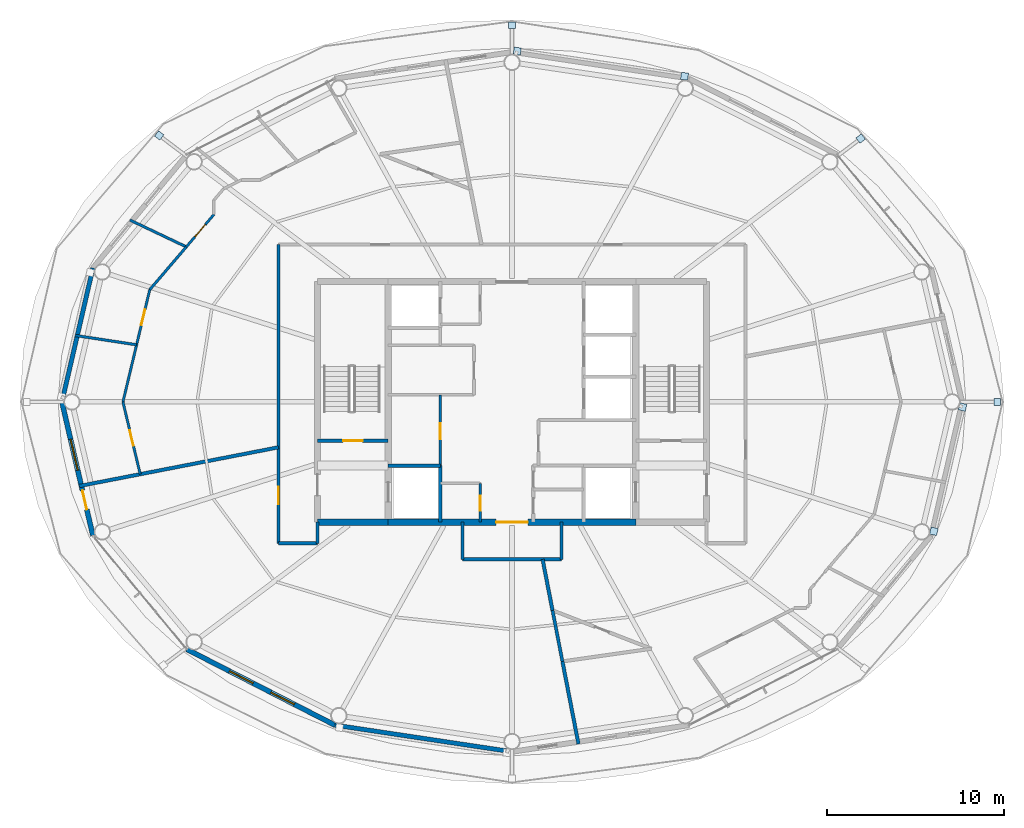
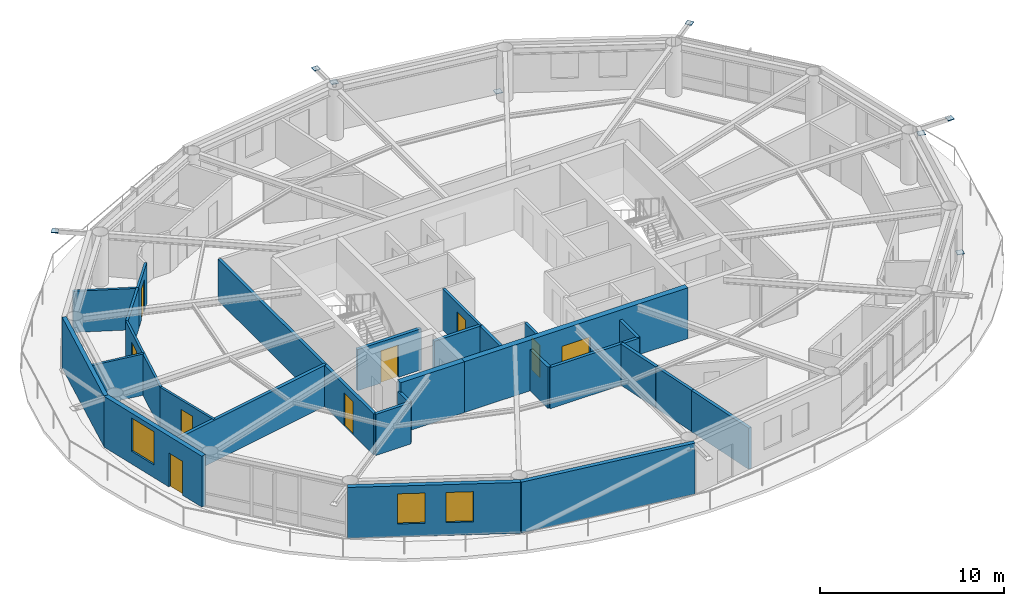
# One storey, part 15 of 21: 27 walls, 9 doors, 8 plates, 3 windows, 12 openings.
"""IFC4 building model written with IfcOpenShell, lengths in metres."""

from ifc_helpers import new_model, si_unit, direction, frame, frame_2d, origin, origin_2d, place, context, subcontext, project, spatial, rectangle, extrude, material, layer, layer_set, type_object, element, fill, save


model = new_model("IFC4")

# Units and contexts
model_context = context("Model", 3, precision=1e-05, world=origin(), true_north=direction((0.0, 1.0)))
body_context = subcontext(model_context, "Body", "Model", "MODEL_VIEW")
ifc_project = project(units=[si_unit("LENGTHUNIT", "METRE"), si_unit("AREAUNIT", "SQUARE_METRE"), si_unit("VOLUMEUNIT", "CUBIC_METRE"), si_unit("PLANEANGLEUNIT", "RADIAN"), si_unit("MASSUNIT", "GRAM", prefix="KILO")], contexts=[model_context])

# Site, building, storey
site_placement = place(None, origin())
site = spatial("IfcSite", under=ifc_project, at=site_placement, CompositionType="ELEMENT")
building_placement = place(site_placement, origin())
building = spatial("IfcBuilding", under=site, at=building_placement, Name="Sarneth Arch Tower", CompositionType="ELEMENT")
storey_placement = place(building_placement, frame((0.0, 0.0, 309.0)))
storey = spatial("IfcBuildingStorey", under=building, at=storey_placement, Name="L80", CompositionType="ELEMENT", Elevation=309.0)

# Plates
ifc_material_1 = material(Name="Steel S355", Category="steel")
ifc_layer_1 = layer(ifc_material_1, 0.035888671875)
ifc_layer_set_1 = layer_set([ifc_layer_1], Name="Steel S355")
plate_type = type_object("IfcPlateType", Name="PLT-GUSSET-30", PredefinedType="SHEET", material=ifc_layer_set_1)
for number, where, z_axis, x_axis, name in (
    (1, (75.44140625, 42.0, 3.19189453125), (0.0, 0.0, 1.0), (1.0, 0.0, 0.0), "Steel end cap plate GP-1"),
    (2, (67.714111328125, 56.889892578125, 3.19189453125), (0.0, 0.0, 1.0), (0.798004853043, 0.602651022168, 0.0), "Steel end cap plate GP-1"),
):
    element("IfcPlate", number, at=place(storey_placement, frame(where, z_axis=z_axis, x_axis=x_axis)), inside=storey, type_object=plate_type, Name=name, PredefinedType="SHEET", context=body_context, shape_type="SweptSolid", body=[
        extrude(rectangle(XDim=0.3798828125, YDim=0.3798828125, at=origin_2d()), origin(), (0.0, 0.0, 1.0), 0.035888671875),
    ])
for number, where, z_axis, x_axis, name in (
    (3, (57.754150390625, 60.411376953125, 0.001953125), (0.0, 0.0, 1.0), (-0.988860535448, 0.148845024885, 0.0), "Steel end cap plate GP-1"),
    (4, (48.296630859375, 61.83544921875, 3.07421875), (0.0, 0.0, 1.0), (-0.988860535448, 0.148845024885, 0.0), "Steel end cap plate GP-1"),
):
    element("IfcPlate", number, at=place(storey_placement, frame(where, z_axis=z_axis, x_axis=x_axis)), inside=storey, type_object=plate_type, Name=name, PredefinedType="SHEET", context=body_context, shape_type="SweptSolid", body=[
        extrude(rectangle(XDim=0.404052734375, YDim=0.404052734375, at=origin_2d()), origin(), (0.0, 0.0, 1.0), 0.035888671875),
    ])
for number, where, z_axis, x_axis, name in (
    (5, (48.0, 63.291748046875, 3.19189453125), (0.0, 0.0, 1.0), (0.0, 1.0, 0.0), "Steel end cap plate GP-1"),
    (6, (28.05322265625, 57.0654296875, 3.19189453125), (0.0, 0.0, 1.0), (-0.798004853043, 0.602651022168, 0.0), "Steel end cap plate GP-1"),
):
    element("IfcPlate", number, at=place(storey_placement, frame(where, z_axis=z_axis, x_axis=x_axis)), inside=storey, type_object=plate_type, Name=name, PredefinedType="SHEET", context=body_context, shape_type="SweptSolid", body=[
        extrude(rectangle(XDim=0.3798828125, YDim=0.3798828125, at=origin_2d()), origin(), (0.0, 0.0, 1.0), 0.035888671875),
    ])
for number, where, z_axis, x_axis, name in (
    (7, (71.851806640625, 34.6845703125, 0.001953125), (0.0, 0.0, 1.0), (0.225461202458, 0.974252147129, 0.0), "Steel end cap plate GP-1"),
    (8, (73.4765625, 41.707763671875, 3.07421875), (0.0, 0.0, 1.0), (0.225461202458, 0.974252147129, 0.0), "Steel end cap plate GP-1"),
):
    element("IfcPlate", number, at=place(storey_placement, frame(where, z_axis=z_axis, x_axis=x_axis)), inside=storey, type_object=plate_type, Name=name, PredefinedType="SHEET", context=body_context, shape_type="SweptSolid", body=[
        extrude(rectangle(XDim=0.404052734375, YDim=0.404052734375, at=origin_2d()), origin(), (0.0, 0.0, 1.0), 0.035888671875),
    ])

# Wall
ifc_material_2 = material(Name="Concrete C50/60", Category="concrete")
ifc_layer_2 = layer(ifc_material_2, 0.35009765625)
ifc_layer_set_2 = layer_set([ifc_layer_2], Name="Concrete C50/60")
wall_type_1 = type_object("IfcWallType", Name="WALL-CORE-350", PredefinedType="SHEAR", material=ifc_layer_set_2)
wall_1_placement = place(storey_placement, frame((37.0, 35.199951171875, 0.0), z_axis=(0.0, 0.0, 1.0), x_axis=(1.0, 0.0, 0.0)))
element("IfcWall", 9, at=wall_1_placement, inside=storey, type_object=wall_type_1, Name="L80 Core shear wall S-W", PredefinedType="SHEAR", context=body_context, shape_type="SweptSolid", body=[
    extrude(rectangle(XDim=4.0, YDim=0.35009765625, at=frame_2d((2.0, 0.0))), origin(), (0.0, 0.0, 1.0), 3.3701171875),
])

# Wall, opening, door
wall_2_placement = place(storey_placement, frame((41.0, 35.199951171875, 0.0), z_axis=(0.0, 0.0, 1.0), x_axis=(1.0, 0.0, 0.0)))
wall_2 = element("IfcWall", 10, at=wall_2_placement, inside=storey, type_object=wall_type_1, Name="L80 Core shear wall S-M", PredefinedType="SHEAR", context=body_context, shape_type="SweptSolid", body=[
    extrude(rectangle(XDim=14.0, YDim=0.35009765625, at=frame_2d((7.0, 0.0))), origin(), (0.0, 0.0, 1.0), 3.3701171875),
])
opening_1_placement = place(wall_2_placement, frame((6.10009765625, 0.0, 0.0)))
opening_1 = element("IfcOpeningElement", 11, at=opening_1_placement, cuts=wall_2, Name="Opening FD-01", PredefinedType="OPENING", context=body_context, shape_type="SweptSolid", body=[
    extrude(rectangle(XDim=1.800048828125, YDim=2.25, at=frame_2d((0.89990234375, 1.125))), frame((0.0, 0.18505859375, 0.0), z_axis=(0.0, -1.0, 0.0), x_axis=(1.0, 0.0, 0.0)), (0.0, 0.0, 1.0), 0.3701171875),
])
ifc_material_3 = material(Name="Galvanised Steel S275 fire door set", Category="steel")
door_type_1 = type_object("IfcDoorType", Name="DR-FD90-1800", OperationType="DOUBLE_DOOR_SINGLE_SWING", PredefinedType="DOOR", material=ifc_material_3)
door_1_placement = place(opening_1_placement, origin())
door_1 = element("IfcDoor", 12, at=door_1_placement, inside=storey, type_object=door_type_1, Name="L80 Central lift lobby south door", OperationType="DOUBLE_DOOR_SINGLE_SWING", OverallHeight=2.25, OverallWidth=1.800048828125, PredefinedType="DOOR", context=body_context, shape_type="SweptSolid", body=[
    extrude(rectangle(XDim=1.800048828125, YDim=2.25, at=frame_2d((0.89990234375, 1.125))), frame((0.0, 0.02490234375, 0.0), z_axis=(0.0, -1.0, 0.0), x_axis=(1.0, 0.0, 0.0)), (0.0, 0.0, 1.0), 0.050048828125),
])
fill(opening_1, door_1)

ifc_material_4 = material(Name="Double steel-stud corridor fire wall", Category="steel")
ifc_layer_3 = layer(ifc_material_4, 0.18994140625)
ifc_layer_set_3 = layer_set([ifc_layer_3], Name="Double steel-stud corridor fire wall")
wall_type_2 = type_object("IfcWallType", Name="WALL-CORR-190", PredefinedType="PARTITIONING", material=ifc_layer_set_3)
wall_3_placement = place(storey_placement, frame((34.800048828125, 34.0, 0.0), z_axis=(0.0, 0.0, 1.0), x_axis=(0.0, 1.0, 0.0)))
wall_3 = element("IfcWall", 13, at=wall_3_placement, inside=storey, type_object=wall_type_2, Name="L80 Interior partition W-L80-TP-003", PredefinedType="PARTITIONING", context=body_context, shape_type="SweptSolid", body=[
    extrude(rectangle(XDim=16.89990234375, YDim=0.18994140625, at=frame_2d((8.449951171875, 0.0))), origin(), (0.0, 0.0, 1.0), 2.72998046875),
])
opening_2_placement = place(wall_3_placement, frame((2.217041015625, 0.0, 0.0)))
opening_2 = element("IfcOpeningElement", 14, at=opening_2_placement, cuts=wall_3, Name="Opening FD-08", PredefinedType="OPENING", context=body_context, shape_type="SweptSolid", body=[
    extrude(rectangle(XDim=1.0, YDim=2.199951171875, at=frame_2d((0.5, 1.10009765625))), frame((0.0, 0.10498046875, 0.0), z_axis=(0.0, -1.0, 0.0), x_axis=(1.0, 0.0, 0.0)), (0.0, 0.0, 1.0), 0.2099609375),
])
ifc_material_5 = material(Name="Hardwood timber acoustic fire door", Category="wood")
door_type_2 = type_object("IfcDoorType", Name="DR-FD60-1000", OperationType="SINGLE_SWING_LEFT", PredefinedType="DOOR", material=ifc_material_5)
door_2_placement = place(opening_2_placement, origin())
door_2 = element("IfcDoor", 15, at=door_2_placement, inside=storey, type_object=door_type_2, Name="L80 Interior door DR-L80-RAMN-03", OperationType="SINGLE_SWING_LEFT", OverallHeight=2.199951171875, OverallWidth=1.0, PredefinedType="DOOR", context=body_context, shape_type="SweptSolid", body=[
    extrude(rectangle(XDim=1.0, YDim=2.199951171875, at=frame_2d((0.5, 1.10009765625))), frame((0.0, 0.02490234375, 0.0), z_axis=(0.0, -1.0, 0.0), x_axis=(1.0, 0.0, 0.0)), (0.0, 0.0, 1.0), 0.050048828125),
])
fill(opening_2, door_2)

# Walls
wall_4_placement = place(storey_placement, frame((50.800048828125, 33.10009765625, 0.0), z_axis=(0.0, 0.0, 1.0), x_axis=(-1.0, 0.0, 0.0)))
element("IfcWall", 16, at=wall_4_placement, inside=storey, type_object=wall_type_2, Name="L80 Interior partition W-L80-TP-011", PredefinedType="PARTITIONING", context=body_context, shape_type="SweptSolid", body=[
    extrude(rectangle(XDim=5.60009765625, YDim=0.18994140625, at=frame_2d((2.800048828125, 0.0))), origin(), (0.0, 0.0, 1.0), 2.72998046875),
])
wall_5_placement = place(storey_placement, frame((34.800048828125, 34.0, 0.0), z_axis=(0.0, 0.0, 1.0), x_axis=(1.0, 0.0, 0.0)))
element("IfcWall", 17, at=wall_5_placement, inside=storey, type_object=wall_type_2, Name="L80 Interior partition W-L80-TP-006", PredefinedType="PARTITIONING", context=body_context, shape_type="SweptSolid", body=[
    extrude(rectangle(XDim=2.199951171875, YDim=0.18994140625, at=frame_2d((1.10009765625, 0.0))), origin(), (0.0, 0.0, 1.0), 2.72998046875),
])
for number, where, z_axis, x_axis, name in (
    (18, (45.199951171875, 33.10009765625, 0.0), (0.0, 0.0, 1.0), (0.0, 1.0, 0.0), "L80 Interior partition W-L80-TP-012"),
    (19, (50.800048828125, 35.199951171875, 0.0), (0.0, 0.0, 1.0), (0.0, -1.0, 0.0), "L80 Interior partition W-L80-TP-013"),
):
    element("IfcWall", number, at=place(storey_placement, frame(where, z_axis=z_axis, x_axis=x_axis)), inside=storey, type_object=wall_type_2, Name=name, PredefinedType="PARTITIONING", context=body_context, shape_type="SweptSolid", body=[
        extrude(rectangle(XDim=2.099853515625, YDim=0.18994140625, at=frame_2d((1.0498046875, 0.0))), origin(), (0.0, 0.0, 1.0), 2.72998046875),
    ])
wall_6_placement = place(storey_placement, frame((37.0, 34.0, 0.0), z_axis=(0.0, 0.0, 1.0), x_axis=(0.0, 1.0, 0.0)))
element("IfcWall", 20, at=wall_6_placement, inside=storey, type_object=wall_type_2, Name="L80 Interior partition W-L80-TP-007", PredefinedType="PARTITIONING", context=body_context, shape_type="SweptSolid", body=[
    extrude(rectangle(XDim=1.199951171875, YDim=0.18994140625, at=frame_2d((0.60009765625, 0.0))), origin(), (0.0, 0.0, 1.0), 2.72998046875),
])
ifc_material_6 = material(Name="Extruded terracotta rainscreen on Concrete C40/50 backing", Category="masonry")
ifc_layer_4 = layer(ifc_material_6, 0.25)
ifc_layer_set_4 = layer_set([ifc_layer_4], Name="Extruded terracotta rainscreen on Concrete C40/50 backing")
wall_type_3 = type_object("IfcWallType", Name="WALL-EXT-SPAND-250", PredefinedType="SOLIDWALL", material=ifc_layer_set_4)
wall_7_placement = place(storey_placement, frame((24.30615234375, 49.569580078125, 0.0), z_axis=(0.0, 0.0, 1.0), x_axis=(-0.225635078214, -0.974211892495, 0.0)))
element("IfcWall", 21, at=wall_7_placement, inside=storey, type_object=wall_type_3, Name="L80 Terracotta perimeter wall 08", PredefinedType="SOLIDWALL", context=body_context, shape_type="SweptSolid", body=[
    extrude(rectangle(XDim=7.77001953125, YDim=0.25, at=frame_2d((3.885009765625, 0.0))), origin(), (0.0, 0.0, 1.0), 3.3701171875),
])
wall_8_placement = place(storey_placement, frame((37.9873046875, 23.7255859375, 0.0), z_axis=(0.0, 0.0, 1.0), x_axis=(0.988882522213, -0.148698881169, 0.0)))
element("IfcWall", 22, at=wall_8_placement, inside=storey, type_object=wall_type_3, Name="L80 Terracotta perimeter wall 12", PredefinedType="SOLIDWALL", context=body_context, shape_type="SweptSolid", body=[
    extrude(rectangle(XDim=10.125244140625, YDim=0.25, at=frame_2d((5.0625, 0.0))), origin(), (0.0, 0.0, 1.0), 3.3701171875),
])

# Wall, openings, door, window
ifc_material_7 = material(Name="Extruded terracotta rainscreen on Concrete C40/50 backing", Category="masonry")
ifc_layer_5 = layer(ifc_material_7, 0.280029296875)
ifc_layer_set_5 = layer_set([ifc_layer_5], Name="Extruded terracotta rainscreen on Concrete C40/50 backing")
wall_type_4 = type_object("IfcWallType", Name="WALL-EXT-TERRA-280", PredefinedType="SOLIDWALL", material=ifc_layer_set_5)
wall_9_placement = place(storey_placement, frame((22.552978515625, 42.0, 0.0), z_axis=(0.0, 0.0, 1.0), x_axis=(0.225635078214, -0.974211892495, 0.0)))
wall_9 = element("IfcWall", 23, at=wall_9_placement, inside=storey, type_object=wall_type_4, Name="L80 Terracotta perimeter wall 09", PredefinedType="SOLIDWALL", context=body_context, shape_type="SweptSolid", body=[
    extrude(rectangle(XDim=7.77001953125, YDim=0.280029296875, at=frame_2d((3.885009765625, 0.0))), origin(), (0.0, 0.0, 1.0), 3.3701171875),
])
opening_3_placement = place(wall_9_placement, frame((2.165771484375, 0.0, 0.85009765625)))
opening_3 = element("IfcOpeningElement", 24, at=opening_3_placement, cuts=wall_9, Name="Opening W-04", PredefinedType="OPENING", context=body_context, shape_type="SweptSolid", body=[
    extrude(rectangle(XDim=1.800048828125, YDim=2.199951171875, at=frame_2d((0.89990234375, 1.10009765625))), frame((0.0, 0.14990234375, 0.0), z_axis=(0.0, -1.0, 0.0), x_axis=(1.0, 0.0, 0.0)), (0.0, 0.0, 1.0), 0.300048828125),
])
opening_4_placement = place(wall_9_placement, frame((5.14208984375, 0.0, 0.0)))
opening_4 = element("IfcOpeningElement", 25, at=opening_4_placement, cuts=wall_9, Name="Opening BD-3", PredefinedType="OPENING", context=body_context, shape_type="SweptSolid", body=[
    extrude(rectangle(XDim=1.10009765625, YDim=2.25, at=frame_2d((0.550048828125, 1.125))), frame((0.0, 0.14990234375, 0.0), z_axis=(0.0, -1.0, 0.0), x_axis=(1.0, 0.0, 0.0)), (0.0, 0.0, 1.0), 0.300048828125),
])
ifc_material_8 = material(Name="Thermally broken Aluminium 6063-T6 and laminated safety glass", Category="aluminium")
door_type_3 = type_object("IfcDoorType", Name="DR-BALC-GLZ-1100", OperationType="SINGLE_SWING_LEFT", PredefinedType="DOOR", material=ifc_material_8)
door_3_placement = place(opening_4_placement, origin())
door_3 = element("IfcDoor", 26, at=door_3_placement, inside=storey, type_object=door_type_3, Name="L80 Balcony glazed door 09", OperationType="SINGLE_SWING_LEFT", OverallHeight=2.25, OverallWidth=1.10009765625, PredefinedType="DOOR", context=body_context, shape_type="SweptSolid", body=[
    extrude(rectangle(XDim=1.10009765625, YDim=2.25, at=frame_2d((0.550048828125, 1.125))), frame((0.0, 0.02490234375, 0.0), z_axis=(0.0, -1.0, 0.0), x_axis=(1.0, 0.0, 0.0)), (0.0, 0.0, 1.0), 0.050048828125),
])
fill(opening_4, door_3)
ifc_material_9 = material(Name="Thermally broken Aluminium 6063-T6 and low-e laminated IGU", Category="aluminium")
window_type_1 = type_object("IfcWindowType", Name="WIN-TWR-1800x2200", PartitioningType="DOUBLE_PANEL_VERTICAL", PredefinedType="WINDOW", material=ifc_material_9)
window_1_placement = place(opening_3_placement, origin())
window_1 = element("IfcWindow", 27, at=window_1_placement, inside=storey, type_object=window_type_1, Name="L80 Exterior window 09A", OverallHeight=2.199951171875, OverallWidth=1.800048828125, PartitioningType="SINGLE_PANEL", PredefinedType="WINDOW", context=body_context, shape_type="SweptSolid", body=[
    extrude(rectangle(XDim=1.800048828125, YDim=2.199951171875, at=frame_2d((0.89990234375, 1.10009765625))), frame((0.0, 0.030029296875, 0.0), z_axis=(0.0, -1.0, 0.0), x_axis=(1.0, 0.0, 0.0)), (0.0, 0.0, 1.0), 0.06005859375),
])
fill(opening_3, window_1)

# Wall, openings, windows
wall_10_placement = place(storey_placement, frame((29.617431640625, 28.013427734375, 0.0), z_axis=(0.0, 0.0, 1.0), x_axis=(0.890007394051, -0.455946091699, 0.0)))
wall_10 = element("IfcWall", 28, at=wall_10_placement, inside=storey, type_object=wall_type_4, Name="L80 Terracotta perimeter wall 11", PredefinedType="SOLIDWALL", context=body_context, shape_type="SweptSolid", body=[
    extrude(rectangle(XDim=9.404296875, YDim=0.280029296875, at=frame_2d((4.7021484375, 0.0))), origin(), (0.0, 0.0, 1.0), 3.3701171875),
])
opening_5_placement = place(wall_10_placement, frame((2.702880859375, 0.0, 0.85009765625)))
opening_5 = element("IfcOpeningElement", 29, at=opening_5_placement, cuts=wall_10, Name="Opening W-06", PredefinedType="OPENING", context=body_context, shape_type="SweptSolid", body=[
    extrude(rectangle(XDim=1.5, YDim=2.0, at=frame_2d((0.75, 1.0))), frame((0.0, 0.14990234375, 0.0), z_axis=(0.0, -1.0, 0.0), x_axis=(1.0, 0.0, 0.0)), (0.0, 0.0, 1.0), 0.300048828125),
])
opening_6_placement = place(wall_10_placement, frame((5.330078125, 0.0, 0.85009765625)))
opening_6 = element("IfcOpeningElement", 30, at=opening_6_placement, cuts=wall_10, Name="Opening W-06", PredefinedType="OPENING", context=body_context, shape_type="SweptSolid", body=[
    extrude(rectangle(XDim=1.5, YDim=2.0, at=frame_2d((0.75, 1.0))), frame((0.0, 0.14990234375, 0.0), z_axis=(0.0, -1.0, 0.0), x_axis=(1.0, 0.0, 0.0)), (0.0, 0.0, 1.0), 0.300048828125),
])
ifc_material_10 = material(Name="Thermally broken Aluminium 6063-T6 and low-e laminated IGU", Category="aluminium")
window_type_2 = type_object("IfcWindowType", Name="WIN-TWR-1500x2000", PartitioningType="SINGLE_PANEL", PredefinedType="WINDOW", material=ifc_material_10)
window_2_placement = place(opening_5_placement, origin())
window_2 = element("IfcWindow", 31, at=window_2_placement, inside=storey, type_object=window_type_2, Name="L80 Exterior window 11A", OverallHeight=2.0, OverallWidth=1.5, PartitioningType="SINGLE_PANEL", PredefinedType="WINDOW", context=body_context, shape_type="SweptSolid", body=[
    extrude(rectangle(XDim=1.5, YDim=2.0, at=frame_2d((0.75, 1.0))), frame((0.0, 0.030029296875, 0.0), z_axis=(0.0, -1.0, 0.0), x_axis=(1.0, 0.0, 0.0)), (0.0, 0.0, 1.0), 0.06005859375),
])
fill(opening_5, window_2)
window_3_placement = place(opening_6_placement, origin())
window_3 = element("IfcWindow", 32, at=window_3_placement, inside=storey, type_object=window_type_2, Name="L80 Exterior window 11B", OverallHeight=2.0, OverallWidth=1.5, PartitioningType="SINGLE_PANEL", PredefinedType="WINDOW", context=body_context, shape_type="SweptSolid", body=[
    extrude(rectangle(XDim=1.5, YDim=2.0, at=frame_2d((0.75, 1.0))), frame((0.0, 0.030029296875, 0.0), z_axis=(0.0, -1.0, 0.0), x_axis=(1.0, 0.0, 0.0)), (0.0, 0.0, 1.0), 0.06005859375),
])
fill(opening_6, window_3)

# Wall, opening, door
ifc_material_11 = material(Name="Apartment internal stud partition", Category="gypsum")
ifc_layer_6 = layer(ifc_material_11, 0.139892578125)
ifc_layer_set_6 = layer_set([ifc_layer_6], Name="Apartment internal stud partition")
wall_type_5 = type_object("IfcWallType", Name="WALL-PART-140", PredefinedType="PARTITIONING", material=ifc_layer_set_6)
wall_11_placement = place(storey_placement, frame((26.9794921875, 37.9140625, 0.0), z_axis=(0.0, 0.0, 1.0), x_axis=(-0.23229355625, 0.972645723645, 0.0)))
wall_11 = element("IfcWall", 33, at=wall_11_placement, inside=storey, type_object=wall_type_5, Name="L80 Interior partition W-L80-TP-033", PredefinedType="PARTITIONING", context=body_context, shape_type="SweptSolid", body=[
    extrude(rectangle(XDim=4.200927734375, YDim=0.139892578125, at=frame_2d((2.1005859375, 0.0))), origin(), (0.0, 0.0, 1.0), 2.72998046875),
])
opening_7_placement = place(wall_11_placement, frame((1.650390625, 0.0, 0.0)))
opening_7 = element("IfcOpeningElement", 34, at=opening_7_placement, cuts=wall_11, Name="Opening ID-01", PredefinedType="OPENING", context=body_context, shape_type="SweptSolid", body=[
    extrude(rectangle(XDim=0.89990234375, YDim=2.10009765625, at=frame_2d((0.449951171875, 1.050048828125))), frame((0.0, 0.079833984375, 0.0), z_axis=(0.0, -1.0, 0.0), x_axis=(1.0, 0.0, 0.0)), (0.0, 0.0, 1.0), 0.159912109375),
])
ifc_material_12 = material(Name="Engineered hardwood flush door", Category="wood")
door_type_4 = type_object("IfcDoorType", Name="DR-INT-900", OperationType="SINGLE_SWING_LEFT", PredefinedType="DOOR", material=ifc_material_12)
door_4_placement = place(opening_7_placement, origin())
door_4 = element("IfcDoor", 35, at=door_4_placement, inside=storey, type_object=door_type_4, Name="L80 Interior door DR-L80-U2-BED3", OperationType="SINGLE_SWING_LEFT", OverallHeight=2.10009765625, OverallWidth=0.89990234375, PredefinedType="DOOR", context=body_context, shape_type="SweptSolid", body=[
    extrude(rectangle(XDim=0.89990234375, YDim=2.10009765625, at=frame_2d((0.449951171875, 1.050048828125))), frame((0.0, 0.02490234375, 0.0), z_axis=(0.0, -1.0, 0.0), x_axis=(1.0, 0.0, 0.0)), (0.0, 0.0, 1.0), 0.050048828125),
])
fill(opening_7, door_4)

wall_12_placement = place(storey_placement, frame((26.003662109375, 42.0, 0.0), z_axis=(0.0, 0.0, 1.0), x_axis=(0.232298462197, 0.972644551962, 0.0)))
wall_12 = element("IfcWall", 36, at=wall_12_placement, inside=storey, type_object=wall_type_5, Name="L80 Interior partition W-L80-TP-034", PredefinedType="PARTITIONING", context=body_context, shape_type="SweptSolid", body=[
    extrude(rectangle(XDim=6.5234375, YDim=0.139892578125, at=frame_2d((3.26171875, 0.0))), origin(), (0.0, 0.0, 1.0), 2.72998046875),
])
opening_8_placement = place(wall_12_placement, frame((4.471923828125, 0.0, 0.0)))
opening_8 = element("IfcOpeningElement", 37, at=opening_8_placement, cuts=wall_12, Name="Opening ID-01", PredefinedType="OPENING", context=body_context, shape_type="SweptSolid", body=[
    extrude(rectangle(XDim=0.89990234375, YDim=2.10009765625, at=frame_2d((0.449951171875, 1.050048828125))), frame((0.0, 0.079833984375, 0.0), z_axis=(0.0, -1.0, 0.0), x_axis=(1.0, 0.0, 0.0)), (0.0, 0.0, 1.0), 0.159912109375),
])
door_5_placement = place(opening_8_placement, origin())
door_5 = element("IfcDoor", 38, at=door_5_placement, inside=storey, type_object=door_type_4, Name="L80 Interior door DR-L80-U2-BED2", OperationType="SINGLE_SWING_LEFT", OverallHeight=2.10009765625, OverallWidth=0.89990234375, PredefinedType="DOOR", context=body_context, shape_type="SweptSolid", body=[
    extrude(rectangle(XDim=0.89990234375, YDim=2.10009765625, at=frame_2d((0.449951171875, 1.050048828125))), frame((0.0, 0.02490234375, 0.0), z_axis=(0.0, -1.0, 0.0), x_axis=(1.0, 0.0, 0.0)), (0.0, 0.0, 1.0), 0.050048828125),
])
fill(opening_8, door_5)

wall_13_placement = place(storey_placement, frame((31.14990234375, 52.598876953125, 0.0), z_axis=(0.0, 0.0, 1.0), x_axis=(-0.649188051026, -0.760627947426, 0.0)))
wall_13 = element("IfcWall", 39, at=wall_13_placement, inside=storey, type_object=wall_type_5, Name="L80 Interior partition W-L80-TP-030", PredefinedType="PARTITIONING", context=body_context, shape_type="SweptSolid", body=[
    extrude(rectangle(XDim=2.409912109375, YDim=0.139892578125, at=frame_2d((1.205078125, 0.0))), origin(), (0.0, 0.0, 1.0), 2.72998046875),
])
opening_9_placement = place(wall_13_placement, frame((0.7548828125, 0.0, 0.0)))
opening_9 = element("IfcOpeningElement", 40, at=opening_9_placement, cuts=wall_13, Name="Opening ID-01", PredefinedType="OPENING", context=body_context, shape_type="SweptSolid", body=[
    extrude(rectangle(XDim=0.89990234375, YDim=2.10009765625, at=frame_2d((0.449951171875, 1.050048828125))), frame((0.0, 0.079833984375, 0.0), z_axis=(0.0, -1.0, 0.0), x_axis=(1.0, 0.0, 0.0)), (0.0, 0.0, 1.0), 0.159912109375),
])
door_6_placement = place(opening_9_placement, origin())
door_6 = element("IfcDoor", 41, at=door_6_placement, inside=storey, type_object=door_type_4, Name="L80 Interior door DR-L80-U2-BED1", OperationType="SINGLE_SWING_LEFT", OverallHeight=2.10009765625, OverallWidth=0.89990234375, PredefinedType="DOOR", context=body_context, shape_type="SweptSolid", body=[
    extrude(rectangle(XDim=0.89990234375, YDim=2.10009765625, at=frame_2d((0.449951171875, 1.050048828125))), frame((0.0, 0.02490234375, 0.0), z_axis=(0.0, -1.0, 0.0), x_axis=(1.0, 0.0, 0.0)), (0.0, 0.0, 1.0), 0.050048828125),
])
fill(opening_9, door_6)

ifc_material_13 = material(Name="Acoustic gypsum stud partition", Category="gypsum")
ifc_layer_7 = layer(ifc_material_13, 0.14990234375)
ifc_layer_set_7 = layer_set([ifc_layer_7], Name="Acoustic gypsum stud partition")
wall_type_6 = type_object("IfcWallType", Name="WALL-PART-150", PredefinedType="PARTITIONING", material=ifc_layer_set_7)
wall_14_placement = place(storey_placement, frame((43.949951171875, 38.39990234375, 0.0), z_axis=(0.0, 0.0, 1.0), x_axis=(0.0, 1.0, 0.0)))
wall_14 = element("IfcWall", 42, at=wall_14_placement, inside=storey, type_object=wall_type_6, Name="L80 Interior partition W-L80-RECPL-E", PredefinedType="PARTITIONING", context=body_context, shape_type="SweptSolid", body=[
    extrude(rectangle(XDim=4.0, YDim=0.14990234375, at=frame_2d((2.0, 0.0))), origin(), (0.0, 0.0, 1.0), 2.72998046875),
])
opening_10_placement = place(wall_14_placement, frame((1.5, 0.0, 0.0)))
opening_10 = element("IfcOpeningElement", 43, at=opening_10_placement, cuts=wall_14, Name="Opening FD-10", PredefinedType="OPENING", context=body_context, shape_type="SweptSolid", body=[
    extrude(rectangle(XDim=0.89990234375, YDim=2.14990234375, at=frame_2d((0.449951171875, 1.074951171875))), frame((0.0, 0.0849609375, 0.0), z_axis=(0.0, -1.0, 0.0), x_axis=(1.0, 0.0, 0.0)), (0.0, 0.0, 1.0), 0.169921875),
])
ifc_material_14 = material(Name="Galvanised Steel S275 riser/service fire door", Category="steel")
door_type_5 = type_object("IfcDoorType", Name="DR-FD60-900", OperationType="SINGLE_SWING_LEFT", PredefinedType="DOOR", material=ifc_material_14)
door_7_placement = place(opening_10_placement, origin())
door_7 = element("IfcDoor", 44, at=door_7_placement, inside=storey, type_object=door_type_5, Name="L80 Interior door DR-L80-RECPL", OperationType="SINGLE_SWING_LEFT", OverallHeight=2.14990234375, OverallWidth=0.89990234375, PredefinedType="DOOR", context=body_context, shape_type="SweptSolid", body=[
    extrude(rectangle(XDim=0.89990234375, YDim=2.14990234375, at=frame_2d((0.449951171875, 1.074951171875))), frame((0.0, 0.02490234375, 0.0), z_axis=(0.0, -1.0, 0.0), x_axis=(1.0, 0.0, 0.0)), (0.0, 0.0, 1.0), 0.050048828125),
])
fill(opening_10, door_7)

wall_15_placement = place(storey_placement, frame((46.199951171875, 35.199951171875, 0.0), z_axis=(0.0, 0.0, 1.0), x_axis=(0.0, 1.0, 0.0)))
wall_15 = element("IfcWall", 45, at=wall_15_placement, inside=storey, type_object=wall_type_6, Name="L80 Interior partition W-L80-CSUP1-E", PredefinedType="PARTITIONING", context=body_context, shape_type="SweptSolid", body=[
    extrude(rectangle(XDim=2.199951171875, YDim=0.14990234375, at=frame_2d((1.10009765625, 0.0))), origin(), (0.0, 0.0, 1.0), 2.72998046875),
])
opening_11_placement = place(wall_15_placement, frame((0.64990234375, 0.0, 0.0)))
opening_11 = element("IfcOpeningElement", 46, at=opening_11_placement, cuts=wall_15, Name="Opening FD-11", PredefinedType="OPENING", context=body_context, shape_type="SweptSolid", body=[
    extrude(rectangle(XDim=0.85009765625, YDim=2.14990234375, at=frame_2d((0.425048828125, 1.074951171875))), frame((0.0, 0.0849609375, 0.0), z_axis=(0.0, -1.0, 0.0), x_axis=(1.0, 0.0, 0.0)), (0.0, 0.0, 1.0), 0.169921875),
])
ifc_material_15 = material(Name="Galvanised Steel S275 closet fire door", Category="steel")
door_type_6 = type_object("IfcDoorType", Name="DR-FD60-850", OperationType="SINGLE_SWING_LEFT", PredefinedType="DOOR", material=ifc_material_15)
door_8_placement = place(opening_11_placement, origin())
door_8 = element("IfcDoor", 47, at=door_8_placement, inside=storey, type_object=door_type_6, Name="L80 Interior door DR-L80-CSUP1", OperationType="SINGLE_SWING_LEFT", OverallHeight=2.14990234375, OverallWidth=0.85009765625, PredefinedType="DOOR", context=body_context, shape_type="SweptSolid", body=[
    extrude(rectangle(XDim=0.85009765625, YDim=2.14990234375, at=frame_2d((0.425048828125, 1.074951171875))), frame((0.0, 0.02490234375, 0.0), z_axis=(0.0, -1.0, 0.0), x_axis=(1.0, 0.0, 0.0)), (0.0, 0.0, 1.0), 0.050048828125),
])
fill(opening_11, door_8)

# Walls
wall_16_placement = place(storey_placement, frame((26.400390625, 52.281982421875, 0.0), z_axis=(0.0, 0.0, 1.0), x_axis=(0.902924474477, -0.429799247777, 0.0)))
element("IfcWall", 48, at=wall_16_placement, inside=storey, type_object=wall_type_6, Name="L80 Interior partition W-L80-TP-038", PredefinedType="PARTITIONING", context=body_context, shape_type="SweptSolid", body=[
    extrude(rectangle(XDim=3.527587890625, YDim=0.14990234375, at=frame_2d((1.763671875, 0.0))), origin(), (0.0, 0.0, 1.0), 2.72998046875),
])
wall_17_placement = place(storey_placement, frame((26.77490234375, 45.229736328125, 0.0), z_axis=(0.0, 0.0, 1.0), x_axis=(-0.988623329482, 0.150412474232, 0.0)))
element("IfcWall", 49, at=wall_17_placement, inside=storey, type_object=wall_type_6, Name="L80 Interior partition W-L80-TP-039", PredefinedType="PARTITIONING", context=body_context, shape_type="SweptSolid", body=[
    extrude(rectangle(XDim=3.51416015625, YDim=0.14990234375, at=frame_2d((1.757080078125, 0.0))), origin(), (0.0, 0.0, 1.0), 2.72998046875),
])
wall_18_placement = place(storey_placement, frame((29.58544921875, 50.765869140625, 0.0), z_axis=(0.0, 0.0, 1.0), x_axis=(-0.649223419945, -0.760597759, 0.0)))
element("IfcWall", 50, at=wall_18_placement, inside=storey, type_object=wall_type_6, Name="L80 Interior partition W-L80-TP-031", PredefinedType="PARTITIONING", context=body_context, shape_type="SweptSolid", body=[
    extrude(rectangle(XDim=3.182861328125, YDim=0.14990234375, at=frame_2d((1.59130859375, 0.0))), origin(), (0.0, 0.0, 1.0), 2.72998046875),
])
ifc_material_16 = material(Name="Moisture-resistant plumbing chase wall", Category="gypsum")
ifc_layer_8 = layer(ifc_material_16, 0.179931640625)
ifc_layer_set_8 = layer_set([ifc_layer_8], Name="Moisture-resistant plumbing chase wall")
wall_type_7 = type_object("IfcWallType", Name="WALL-PLUMB-180", PredefinedType="PLUMBINGWALL", material=ifc_layer_set_8)
wall_19_placement = place(storey_placement, frame((50.851806640625, 27.327880859375, 0.0), z_axis=(0.0, 0.0, 1.0), x_axis=(-0.190751955115, 0.981638269232, 0.0)))
element("IfcWall", 51, at=wall_19_placement, inside=storey, type_object=wall_type_7, Name="L80 Interior partition W-L80-TP-043", PredefinedType="PLUMBINGWALL", context=body_context, shape_type="SweptSolid", body=[
    extrude(rectangle(XDim=2.9423828125, YDim=0.179931640625, at=frame_2d((1.47119140625, 0.0))), origin(), (0.0, 0.0, 1.0), 2.72998046875),
])

# Wall, opening, door
ifc_material_17 = material(Name="Aerated concrete blockwork C25/30", Category="masonry")
ifc_layer_9 = layer(ifc_material_17, 0.199951171875)
ifc_layer_set_9 = layer_set([ifc_layer_9], Name="Aerated concrete blockwork C25/30")
wall_type_8 = type_object("IfcWallType", Name="WALL-SHAFT-200", PredefinedType="SOLIDWALL", material=ifc_layer_set_9)
wall_20_placement = place(storey_placement, frame((37.0, 39.800048828125, 0.0), z_axis=(0.0, 0.0, 1.0), x_axis=(1.0, 0.0, 0.0)))
wall_20 = element("IfcWall", 52, at=wall_20_placement, inside=storey, type_object=wall_type_8, Name="L80 Interior partition W-L80-ST1-S", PredefinedType="SOLIDWALL", context=body_context, shape_type="SweptSolid", body=[
    extrude(rectangle(XDim=4.0, YDim=0.199951171875, at=frame_2d((2.0, 0.0))), origin(), (0.0, 0.0, 1.0), 2.72998046875),
])
opening_12_placement = place(wall_20_placement, frame((1.449951171875, 0.0, 0.0)))
opening_12 = element("IfcOpeningElement", 53, at=opening_12_placement, cuts=wall_20, Name="Opening FD-03", PredefinedType="OPENING", context=body_context, shape_type="SweptSolid", body=[
    extrude(rectangle(XDim=1.10009765625, YDim=2.14990234375, at=frame_2d((0.550048828125, 1.074951171875))), frame((0.0, 0.10986328125, 0.0), z_axis=(0.0, -1.0, 0.0), x_axis=(1.0, 0.0, 0.0)), (0.0, 0.0, 1.0), 0.219970703125),
])
ifc_material_18 = material(Name="Galvanised Steel S275 fire door set", Category="steel")
door_type_7 = type_object("IfcDoorType", Name="DR-FD90-1100", OperationType="SINGLE_SWING_LEFT", PredefinedType="DOOR", material=ifc_material_18)
door_9_placement = place(opening_12_placement, origin())
door_9 = element("IfcDoor", 54, at=door_9_placement, inside=storey, type_object=door_type_7, Name="L80 Interior door DR-L80-ST1", OperationType="SINGLE_SWING_LEFT", OverallHeight=2.14990234375, OverallWidth=1.10009765625, PredefinedType="DOOR", context=body_context, shape_type="SweptSolid", body=[
    extrude(rectangle(XDim=1.10009765625, YDim=2.14990234375, at=frame_2d((0.550048828125, 1.074951171875))), frame((0.0, 0.02490234375, 0.0), z_axis=(0.0, -1.0, 0.0), x_axis=(1.0, 0.0, 0.0)), (0.0, 0.0, 1.0), 0.050048828125),
])
fill(opening_12, door_9)

# Walls
wall_21_placement = place(storey_placement, frame((43.949951171875, 35.199951171875, 0.0), z_axis=(0.0, 0.0, 1.0), x_axis=(0.0, 1.0, 0.0)))
element("IfcWall", 55, at=wall_21_placement, inside=storey, type_object=wall_type_8, Name="L80 Interior partition W-L80-FL1-E", PredefinedType="SOLIDWALL", context=body_context, shape_type="SweptSolid", body=[
    extrude(rectangle(XDim=3.199951171875, YDim=0.199951171875, at=frame_2d((1.60009765625, 0.0))), origin(), (0.0, 0.0, 1.0), 2.72998046875),
])
wall_22_placement = place(storey_placement, frame((41.0, 38.39990234375, 0.0), z_axis=(0.0, 0.0, 1.0), x_axis=(1.0, 0.0, 0.0)))
element("IfcWall", 56, at=wall_22_placement, inside=storey, type_object=wall_type_8, Name="L80 Interior partition W-L80-FL1-N", PredefinedType="SOLIDWALL", context=body_context, shape_type="SweptSolid", body=[
    extrude(rectangle(XDim=2.949951171875, YDim=0.199951171875, at=frame_2d((1.47509765625, 0.0))), origin(), (0.0, 0.0, 1.0), 2.72998046875),
])
ifc_material_19 = material(Name="Double steel-stud acoustic drywall", Category="steel")
ifc_layer_10 = layer(ifc_material_19, 0.199951171875)
ifc_layer_set_10 = layer_set([ifc_layer_10], Name="Double steel-stud acoustic drywall")
wall_type_9 = type_object("IfcWallType", Name="WALL-UNIT-200", PredefinedType="PARTITIONING", material=ifc_layer_set_10)
wall_23_placement = place(storey_placement, frame((34.800048828125, 39.43408203125, 0.0), z_axis=(0.0, 0.0, 1.0), x_axis=(-0.981626456647, -0.190812734402, 0.0)))
element("IfcWall", 57, at=wall_23_placement, inside=storey, type_object=wall_type_9, Name="L80 Interior partition W-L80-TP-035", PredefinedType="PARTITIONING", context=body_context, shape_type="SweptSolid", body=[
    extrude(rectangle(XDim=11.4794921875, YDim=0.199951171875, at=frame_2d((5.73974609375, 0.0))), origin(), (0.0, 0.0, 1.0), 2.72998046875),
])
wall_24_placement = place(storey_placement, frame((51.758544921875, 22.6640625, 0.0), z_axis=(0.0, 0.0, 1.0), x_axis=(-0.190846277625, 0.981619935778, 0.0)))
element("IfcWall", 58, at=wall_24_placement, inside=storey, type_object=wall_type_9, Name="L80 Interior partition W-L80-TP-042", PredefinedType="PARTITIONING", context=body_context, shape_type="SweptSolid", body=[
    extrude(rectangle(XDim=4.751220703125, YDim=0.199951171875, at=frame_2d((2.37548828125, 0.0))), origin(), (0.0, 0.0, 1.0), 2.72998046875),
])
wall_25_placement = place(storey_placement, frame((50.29052734375, 30.21630859375, 0.0), z_axis=(0.0, 0.0, 1.0), x_axis=(-0.190807376865, 0.981627498053, 0.0)))
element("IfcWall", 59, at=wall_25_placement, inside=storey, type_object=wall_type_9, Name="L80 Interior partition W-L80-TP-041", PredefinedType="PARTITIONING", context=body_context, shape_type="SweptSolid", body=[
    extrude(rectangle(XDim=2.937744140625, YDim=0.199951171875, at=frame_2d((1.46875, 0.0))), origin(), (0.0, 0.0, 1.0), 2.72998046875),
])

save(model, "model.ifc")
